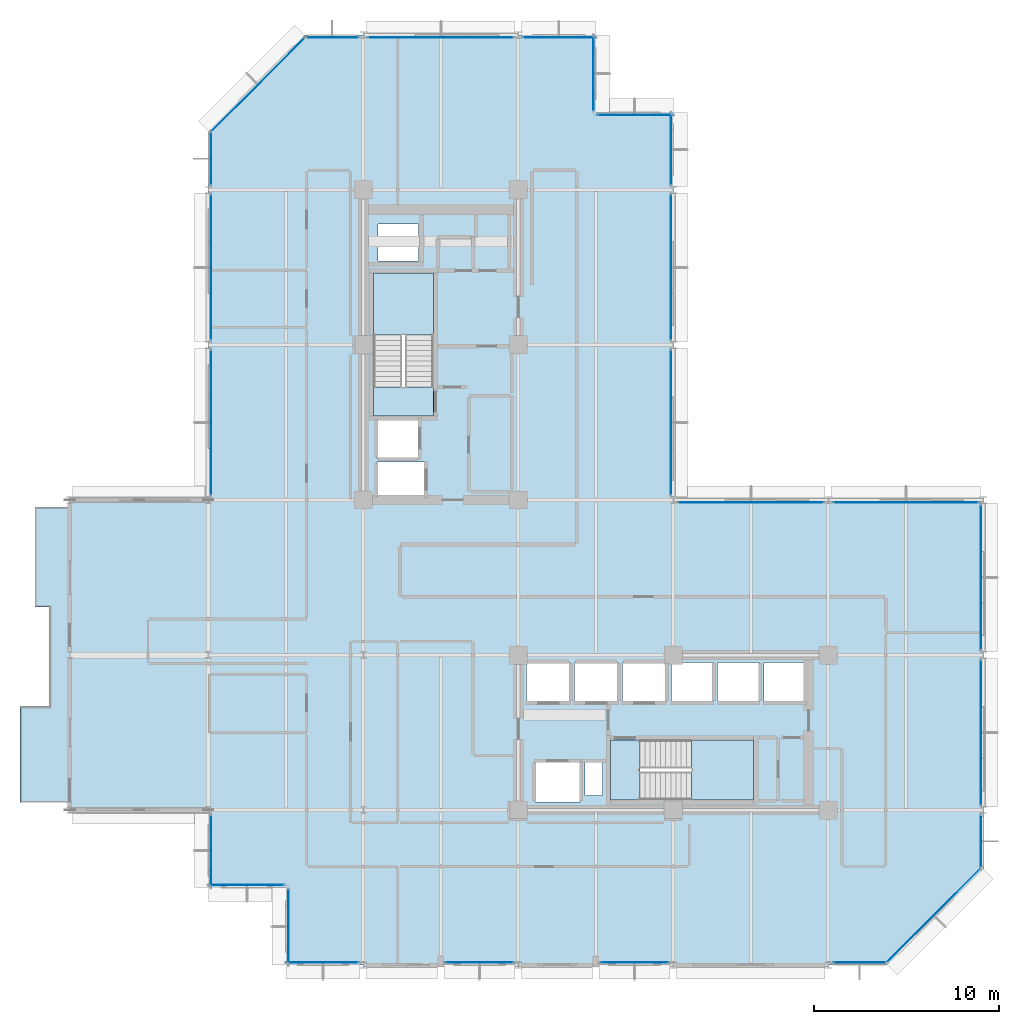
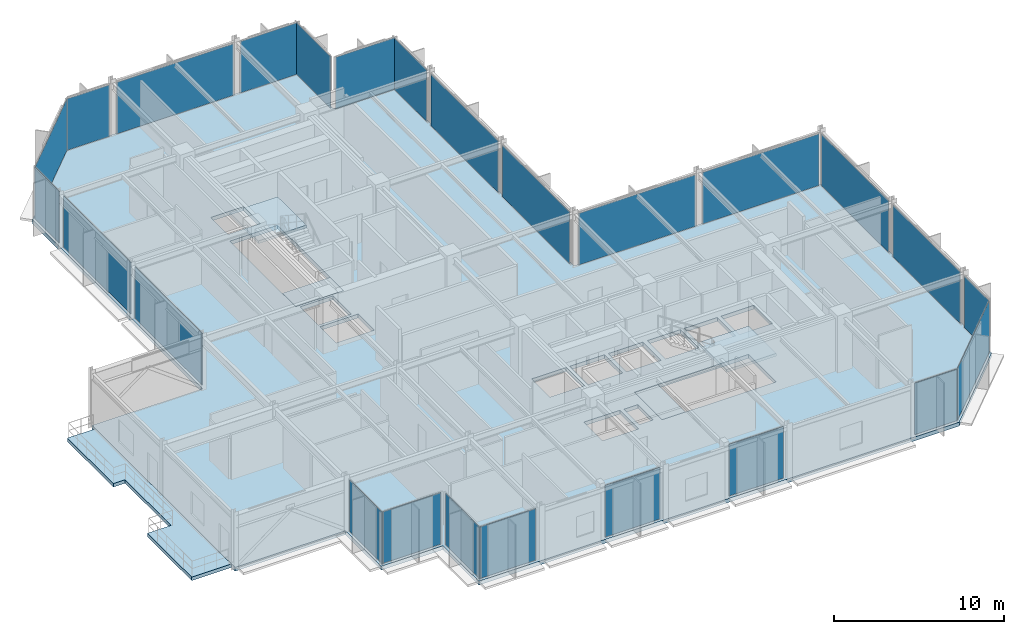
# One storey, part 23 of 30: 25 plates, 6 slabs, 27 elements without a shape of their own.
"""IFC4 building model written with IfcOpenShell, lengths in metres."""

from ifc_helpers import new_model, si_unit, direction, frame, origin, origin_2d, place, context, subcontext, project, spatial, polyline, rectangle, outline, extrude, material, layer, layer_set, type_object, element, aggregate, save


model = new_model("IFC4")

# Units and contexts
model_context = context("Model", 3, precision=1e-05, world=origin(), true_north=direction((0.0, 1.0)))
body_context = subcontext(model_context, "Body", "Model", "MODEL_VIEW")
ifc_project = project(units=[si_unit("LENGTHUNIT", "METRE"), si_unit("AREAUNIT", "SQUARE_METRE"), si_unit("VOLUMEUNIT", "CUBIC_METRE"), si_unit("PLANEANGLEUNIT", "RADIAN"), si_unit("MASSUNIT", "GRAM", prefix="KILO")], contexts=[model_context])

# Site, building, storey
site_placement = place(None, origin())
site = spatial("IfcSite", under=ifc_project, at=site_placement, CompositionType="ELEMENT")
building_placement = place(site_placement, origin())
building = spatial("IfcBuilding", under=site, at=building_placement, Name="Nerrivon Quay Data Exchange", CompositionType="ELEMENT")
storey_placement = place(building_placement, frame((0.0, 0.0, 171.39990234375)))
storey = spatial("IfcBuildingStorey", under=building, at=storey_placement, Name="L40", CompositionType="ELEMENT", Elevation=171.39990234375)

# Curtain wall, plate
ifc_material_1 = material(Name="Anodised aluminium 6063-T6", Category="aluminium")
ifc_layer_1 = layer(ifc_material_1, 0.195068359375)
ifc_layer_set_1 = layer_set([ifc_layer_1], Name="Anodised aluminium 6063-T6")
curtain_wall_type = type_object("IfcCurtainWallType", Name="CW-SYS-06", PredefinedType="NOTDEFINED", material=ifc_layer_set_1)
curtain_wall_1_placement = place(storey_placement, origin())
curtain_wall_1 = element("IfcCurtainWall", 1, at=curtain_wall_1_placement, inside=storey, type_object=curtain_wall_type, Name="L40 Unitised Curtain Wall 4", PredefinedType="NOTDEFINED")
ifc_material_2 = material(Name="Double-glazed low-E solar control glass", Category="glass")
ifc_layer_2 = layer(ifc_material_2, 0.028076171875)
ifc_layer_set_2 = layer_set([ifc_layer_2], Name="Double-glazed low-E solar control glass")
plate_type = type_object("IfcPlateType", Name="CWP-GLZ-28", PredefinedType="CURTAIN_PANEL", material=ifc_layer_set_2)
plate_1_placement = place(storey_placement, frame((0.139892578125, 29.39990234375, 0.06494140625), z_axis=(0.0, 0.0, 1.0), x_axis=(0.0, 1.0, 0.0)))
plate_1 = element("IfcPlate", 2, at=plate_1_placement, type_object=plate_type, Name="CW06 panel 1.1", PredefinedType="CURTAIN_PANEL", context=body_context, shape_type="SweptSolid", body=[
    extrude(rectangle(XDim=7.89990234375, YDim=0.028076171875, at=origin_2d()), origin(), (0.0, 0.0, 1.0), 3.695068359375),
])
aggregate(curtain_wall_1, [plate_1])

curtain_wall_2_placement = place(storey_placement, origin())
curtain_wall_2 = element("IfcCurtainWall", 3, at=curtain_wall_2_placement, inside=storey, type_object=curtain_wall_type, Name="L40 Unitised Curtain Wall 5", PredefinedType="NOTDEFINED")
plate_2_placement = place(storey_placement, frame((0.139892578125, 37.800048828125, 0.06494140625), z_axis=(0.0, 0.0, 1.0), x_axis=(0.0, 1.0, 0.0)))
plate_2 = element("IfcPlate", 4, at=plate_2_placement, type_object=plate_type, Name="CW06 panel 1.1", PredefinedType="CURTAIN_PANEL", context=body_context, shape_type="SweptSolid", body=[
    extrude(rectangle(XDim=7.89990234375, YDim=0.028076171875, at=origin_2d()), origin(), (0.0, 0.0, 1.0), 3.695068359375),
])
aggregate(curtain_wall_2, [plate_2])

curtain_wall_3_placement = place(storey_placement, origin())
curtain_wall_3 = element("IfcCurtainWall", 5, at=curtain_wall_3_placement, inside=storey, type_object=curtain_wall_type, Name="L40 Unitised Curtain Wall 6", PredefinedType="NOTDEFINED")
plate_3_placement = place(storey_placement, frame((0.139892578125, 43.6875, 0.06494140625), z_axis=(0.0, 0.0, 1.0), x_axis=(0.0, 1.0, 0.0)))
plate_3 = element("IfcPlate", 6, at=plate_3_placement, type_object=plate_type, Name="CW06 panel 1.1", PredefinedType="CURTAIN_PANEL", context=body_context, shape_type="SweptSolid", body=[
    extrude(rectangle(XDim=2.875, YDim=0.028076171875, at=origin_2d()), origin(), (0.0, 0.0, 1.0), 3.695068359375),
])
aggregate(curtain_wall_3, [plate_3])

curtain_wall_4_placement = place(storey_placement, origin())
curtain_wall_4 = element("IfcCurtainWall", 7, at=curtain_wall_4_placement, inside=storey, type_object=curtain_wall_type, Name="L40 Unitised Curtain Wall 7", PredefinedType="NOTDEFINED")
plate_4_placement = place(storey_placement, frame((2.698974609375, 47.700927734375, 0.06494140625), z_axis=(0.0, 0.0, 1.0), x_axis=(0.707106781187, 0.707106781187, 0.0)))
plate_4 = element("IfcPlate", 8, at=plate_4_placement, type_object=plate_type, Name="CW06 panel 1.1", PredefinedType="CURTAIN_PANEL", context=body_context, shape_type="SweptSolid", body=[
    extrude(rectangle(XDim=7.203857421875, YDim=0.028076171875, at=origin_2d()), origin(), (0.0, 0.0, 1.0), 3.695068359375),
])
aggregate(curtain_wall_4, [plate_4])

curtain_wall_5_placement = place(storey_placement, origin())
curtain_wall_5 = element("IfcCurtainWall", 9, at=curtain_wall_5_placement, inside=storey, type_object=curtain_wall_type, Name="L40 Unitised Curtain Wall 8", PredefinedType="NOTDEFINED")
plate_5_placement = place(storey_placement, frame((6.71240234375, 50.260009765625, 0.06494140625), z_axis=(0.0, 0.0, 1.0), x_axis=(1.0, 0.0, 0.0)))
plate_5 = element("IfcPlate", 10, at=plate_5_placement, type_object=plate_type, Name="CW06 panel 1.1", PredefinedType="CURTAIN_PANEL", context=body_context, shape_type="SweptSolid", body=[
    extrude(rectangle(XDim=2.875, YDim=0.028076171875, at=origin_2d()), origin(), (0.0, 0.0, 1.0), 3.695068359375),
])
aggregate(curtain_wall_5, [plate_5])

curtain_wall_6_placement = place(storey_placement, origin())
curtain_wall_6 = element("IfcCurtainWall", 11, at=curtain_wall_6_placement, inside=storey, type_object=curtain_wall_type, Name="L40 Unitised Curtain Wall 9", PredefinedType="NOTDEFINED")
plate_6_placement = place(storey_placement, frame((12.60009765625, 50.260009765625, 0.06494140625), z_axis=(0.0, 0.0, 1.0), x_axis=(1.0, 0.0, 0.0)))
plate_6 = element("IfcPlate", 12, at=plate_6_placement, type_object=plate_type, Name="CW06 panel 1.1", PredefinedType="CURTAIN_PANEL", context=body_context, shape_type="SweptSolid", body=[
    extrude(rectangle(XDim=7.89990234375, YDim=0.028076171875, at=origin_2d()), origin(), (0.0, 0.0, 1.0), 3.695068359375),
])
aggregate(curtain_wall_6, [plate_6])

curtain_wall_7_placement = place(storey_placement, origin())
curtain_wall_7 = element("IfcCurtainWall", 13, at=curtain_wall_7_placement, inside=storey, type_object=curtain_wall_type, Name="L40 Unitised Curtain Wall 10", PredefinedType="NOTDEFINED")
plate_7_placement = place(storey_placement, frame((18.987548828125, 50.260009765625, 0.06494140625), z_axis=(0.0, 0.0, 1.0), x_axis=(1.0, 0.0, 0.0)))
plate_7 = element("IfcPlate", 14, at=plate_7_placement, type_object=plate_type, Name="CW06 panel 1.1", PredefinedType="CURTAIN_PANEL", context=body_context, shape_type="SweptSolid", body=[
    extrude(rectangle(XDim=3.875, YDim=0.028076171875, at=origin_2d()), origin(), (0.0, 0.0, 1.0), 3.695068359375),
])
aggregate(curtain_wall_7, [plate_7])

curtain_wall_8_placement = place(storey_placement, origin())
curtain_wall_8 = element("IfcCurtainWall", 15, at=curtain_wall_8_placement, inside=storey, type_object=curtain_wall_type, Name="L40 Unitised Curtain Wall 11", PredefinedType="NOTDEFINED")
plate_8_placement = place(storey_placement, frame((20.860107421875, 48.300048828125, 0.06494140625), z_axis=(0.0, 0.0, 1.0), x_axis=(0.0, -1.0, 0.0)))
plate_8 = element("IfcPlate", 16, at=plate_8_placement, type_object=plate_type, Name="CW06 panel 1.1", PredefinedType="CURTAIN_PANEL", context=body_context, shape_type="SweptSolid", body=[
    extrude(rectangle(XDim=4.050048828125, YDim=0.028076171875, at=origin_2d()), origin(), (0.0, 0.0, 1.0), 3.695068359375),
])
aggregate(curtain_wall_8, [plate_8])

curtain_wall_9_placement = place(storey_placement, origin())
curtain_wall_9 = element("IfcCurtainWall", 17, at=curtain_wall_9_placement, inside=storey, type_object=curtain_wall_type, Name="L40 Unitised Curtain Wall 12", PredefinedType="NOTDEFINED")
plate_9_placement = place(storey_placement, frame((23.10009765625, 46.06005859375, 0.06494140625), z_axis=(0.0, 0.0, 1.0), x_axis=(1.0, 0.0, 0.0)))
plate_9 = element("IfcPlate", 18, at=plate_9_placement, type_object=plate_type, Name="CW06 panel 1.1", PredefinedType="CURTAIN_PANEL", context=body_context, shape_type="SweptSolid", body=[
    extrude(rectangle(XDim=4.050048828125, YDim=0.028076171875, at=origin_2d()), origin(), (0.0, 0.0, 1.0), 3.695068359375),
])
aggregate(curtain_wall_9, [plate_9])

curtain_wall_10_placement = place(storey_placement, origin())
curtain_wall_10 = element("IfcCurtainWall", 19, at=curtain_wall_10_placement, inside=storey, type_object=curtain_wall_type, Name="L40 Unitised Curtain Wall 13", PredefinedType="NOTDEFINED")
plate_10_placement = place(storey_placement, frame((25.06005859375, 44.1875, 0.06494140625), z_axis=(0.0, 0.0, 1.0), x_axis=(0.0, -1.0, 0.0)))
plate_10 = element("IfcPlate", 20, at=plate_10_placement, type_object=plate_type, Name="CW06 panel 1.1", PredefinedType="CURTAIN_PANEL", context=body_context, shape_type="SweptSolid", body=[
    extrude(rectangle(XDim=3.875, YDim=0.028076171875, at=origin_2d()), origin(), (0.0, 0.0, 1.0), 3.695068359375),
])
aggregate(curtain_wall_10, [plate_10])

curtain_wall_11_placement = place(storey_placement, origin())
curtain_wall_11 = element("IfcCurtainWall", 21, at=curtain_wall_11_placement, inside=storey, type_object=curtain_wall_type, Name="L40 Unitised Curtain Wall 14", PredefinedType="NOTDEFINED")
plate_11_placement = place(storey_placement, frame((25.06005859375, 37.800048828125, 0.06494140625), z_axis=(0.0, 0.0, 1.0), x_axis=(0.0, -1.0, 0.0)))
plate_11 = element("IfcPlate", 22, at=plate_11_placement, type_object=plate_type, Name="CW06 panel 1.1", PredefinedType="CURTAIN_PANEL", context=body_context, shape_type="SweptSolid", body=[
    extrude(rectangle(XDim=7.89990234375, YDim=0.028076171875, at=origin_2d()), origin(), (0.0, 0.0, 1.0), 3.695068359375),
])
aggregate(curtain_wall_11, [plate_11])

curtain_wall_12_placement = place(storey_placement, origin())
curtain_wall_12 = element("IfcCurtainWall", 23, at=curtain_wall_12_placement, inside=storey, type_object=curtain_wall_type, Name="L40 Unitised Curtain Wall 15", PredefinedType="NOTDEFINED")
plate_12_placement = place(storey_placement, frame((25.06005859375, 29.39990234375, 0.06494140625), z_axis=(0.0, 0.0, 1.0), x_axis=(0.0, -1.0, 0.0)))
plate_12 = element("IfcPlate", 24, at=plate_12_placement, type_object=plate_type, Name="CW06 panel 1.1", PredefinedType="CURTAIN_PANEL", context=body_context, shape_type="SweptSolid", body=[
    extrude(rectangle(XDim=7.89990234375, YDim=0.028076171875, at=origin_2d()), origin(), (0.0, 0.0, 1.0), 3.695068359375),
])
aggregate(curtain_wall_12, [plate_12])

curtain_wall_13_placement = place(storey_placement, origin())
curtain_wall_13 = element("IfcCurtainWall", 25, at=curtain_wall_13_placement, inside=storey, type_object=curtain_wall_type, Name="L40 Unitised Curtain Wall 16", PredefinedType="NOTDEFINED")
plate_13_placement = place(storey_placement, frame((29.39990234375, 25.06005859375, 0.06494140625), z_axis=(0.0, 0.0, 1.0), x_axis=(1.0, 0.0, 0.0)))
plate_13 = element("IfcPlate", 26, at=plate_13_placement, type_object=plate_type, Name="CW06 panel 1.1", PredefinedType="CURTAIN_PANEL", context=body_context, shape_type="SweptSolid", body=[
    extrude(rectangle(XDim=7.89990234375, YDim=0.028076171875, at=origin_2d()), origin(), (0.0, 0.0, 1.0), 3.695068359375),
])
aggregate(curtain_wall_13, [plate_13])

curtain_wall_14_placement = place(storey_placement, origin())
curtain_wall_14 = element("IfcCurtainWall", 27, at=curtain_wall_14_placement, inside=storey, type_object=curtain_wall_type, Name="L40 Unitised Curtain Wall 17", PredefinedType="NOTDEFINED")
plate_14_placement = place(storey_placement, frame((37.800048828125, 25.06005859375, 0.06494140625), z_axis=(0.0, 0.0, 1.0), x_axis=(1.0, 0.0, 0.0)))
plate_14 = element("IfcPlate", 28, at=plate_14_placement, type_object=plate_type, Name="CW06 panel 1.1", PredefinedType="CURTAIN_PANEL", context=body_context, shape_type="SweptSolid", body=[
    extrude(rectangle(XDim=7.89990234375, YDim=0.028076171875, at=origin_2d()), origin(), (0.0, 0.0, 1.0), 3.695068359375),
])
aggregate(curtain_wall_14, [plate_14])

curtain_wall_15_placement = place(storey_placement, origin())
curtain_wall_15 = element("IfcCurtainWall", 29, at=curtain_wall_15_placement, inside=storey, type_object=curtain_wall_type, Name="L40 Unitised Curtain Wall 18", PredefinedType="NOTDEFINED")
plate_15_placement = place(storey_placement, frame((41.860107421875, 21.0, 0.06494140625), z_axis=(0.0, 0.0, 1.0), x_axis=(0.0, -1.0, 0.0)))
plate_15 = element("IfcPlate", 30, at=plate_15_placement, type_object=plate_type, Name="CW06 panel 1.1", PredefinedType="CURTAIN_PANEL", context=body_context, shape_type="SweptSolid", body=[
    extrude(rectangle(XDim=7.89990234375, YDim=0.028076171875, at=origin_2d()), origin(), (0.0, 0.0, 1.0), 3.695068359375),
])
aggregate(curtain_wall_15, [plate_15])

curtain_wall_16_placement = place(storey_placement, origin())
curtain_wall_16 = element("IfcCurtainWall", 31, at=curtain_wall_16_placement, inside=storey, type_object=curtain_wall_type, Name="L40 Unitised Curtain Wall 19", PredefinedType="NOTDEFINED")
plate_16_placement = place(storey_placement, frame((41.860107421875, 12.60009765625, 0.06494140625), z_axis=(0.0, 0.0, 1.0), x_axis=(0.0, -1.0, 0.0)))
plate_16 = element("IfcPlate", 32, at=plate_16_placement, type_object=plate_type, Name="CW06 panel 1.1", PredefinedType="CURTAIN_PANEL", context=body_context, shape_type="SweptSolid", body=[
    extrude(rectangle(XDim=7.89990234375, YDim=0.028076171875, at=origin_2d()), origin(), (0.0, 0.0, 1.0), 3.695068359375),
])
aggregate(curtain_wall_16, [plate_16])

curtain_wall_17_placement = place(storey_placement, origin())
curtain_wall_17 = element("IfcCurtainWall", 33, at=curtain_wall_17_placement, inside=storey, type_object=curtain_wall_type, Name="L40 Unitised Curtain Wall 20", PredefinedType="NOTDEFINED")
plate_17_placement = place(storey_placement, frame((41.860107421875, 6.71240234375, 0.06494140625), z_axis=(0.0, 0.0, 1.0), x_axis=(0.0, -1.0, 0.0)))
plate_17 = element("IfcPlate", 34, at=plate_17_placement, type_object=plate_type, Name="CW06 panel 1.1", PredefinedType="CURTAIN_PANEL", context=body_context, shape_type="SweptSolid", body=[
    extrude(rectangle(XDim=2.875, YDim=0.028076171875, at=origin_2d()), origin(), (0.0, 0.0, 1.0), 3.695068359375),
])
aggregate(curtain_wall_17, [plate_17])

curtain_wall_18_placement = place(storey_placement, origin())
curtain_wall_18 = element("IfcCurtainWall", 35, at=curtain_wall_18_placement, inside=storey, type_object=curtain_wall_type, Name="L40 Unitised Curtain Wall 21", PredefinedType="NOTDEFINED")
plate_18_placement = place(storey_placement, frame((39.301025390625, 2.698974609375, 0.06494140625), z_axis=(0.0, 0.0, 1.0), x_axis=(-0.707106781187, -0.707106781187, 0.0)))
plate_18 = element("IfcPlate", 36, at=plate_18_placement, type_object=plate_type, Name="CW06 panel 1.1", PredefinedType="CURTAIN_PANEL", context=body_context, shape_type="SweptSolid", body=[
    extrude(rectangle(XDim=7.203857421875, YDim=0.028076171875, at=origin_2d()), origin(), (0.0, 0.0, 1.0), 3.695068359375),
])
aggregate(curtain_wall_18, [plate_18])

curtain_wall_19_placement = place(storey_placement, origin())
curtain_wall_19 = element("IfcCurtainWall", 37, at=curtain_wall_19_placement, inside=storey, type_object=curtain_wall_type, Name="L40 Unitised Curtain Wall 22", PredefinedType="NOTDEFINED")
plate_19_placement = place(storey_placement, frame((35.28759765625, 0.139892578125, 0.06494140625), z_axis=(0.0, 0.0, 1.0), x_axis=(-1.0, 0.0, 0.0)))
plate_19 = element("IfcPlate", 38, at=plate_19_placement, type_object=plate_type, Name="CW06 panel 1.1", PredefinedType="CURTAIN_PANEL", context=body_context, shape_type="SweptSolid", body=[
    extrude(rectangle(XDim=2.875, YDim=0.028076171875, at=origin_2d()), origin(), (0.0, 0.0, 1.0), 3.695068359375),
])
aggregate(curtain_wall_19, [plate_19])

curtain_wall_20_placement = place(storey_placement, origin())
curtain_wall_20 = element("IfcCurtainWall", 39, at=curtain_wall_20_placement, inside=storey, type_object=curtain_wall_type, Name="L40 Unitised Curtain Wall 24", PredefinedType="NOTDEFINED")
plate_20_placement = place(storey_placement, frame((23.10009765625, 0.139892578125, 0.06494140625), z_axis=(0.0, 0.0, 1.0), x_axis=(-1.0, 0.0, 0.0)))
plate_20 = element("IfcPlate", 40, at=plate_20_placement, type_object=plate_type, Name="CW06 panel 1.1", PredefinedType="CURTAIN_PANEL", context=body_context, shape_type="SweptSolid", body=[
    extrude(rectangle(XDim=3.699951171875, YDim=0.028076171875, at=origin_2d()), origin(), (0.0, 0.0, 1.0), 3.695068359375),
])
aggregate(curtain_wall_20, [plate_20])

curtain_wall_21_placement = place(storey_placement, origin())
curtain_wall_21 = element("IfcCurtainWall", 41, at=curtain_wall_21_placement, inside=storey, type_object=curtain_wall_type, Name="L40 Unitised Curtain Wall 26", PredefinedType="NOTDEFINED")
plate_21_placement = place(storey_placement, frame((14.699951171875, 0.139892578125, 0.06494140625), z_axis=(0.0, 0.0, 1.0), x_axis=(-1.0, 0.0, 0.0)))
plate_21 = element("IfcPlate", 42, at=plate_21_placement, type_object=plate_type, Name="CW06 panel 1.1", PredefinedType="CURTAIN_PANEL", context=body_context, shape_type="SweptSolid", body=[
    extrude(rectangle(XDim=3.699951171875, YDim=0.028076171875, at=origin_2d()), origin(), (0.0, 0.0, 1.0), 3.695068359375),
])
aggregate(curtain_wall_21, [plate_21])

curtain_wall_22_placement = place(storey_placement, origin())
curtain_wall_22 = element("IfcCurtainWall", 43, at=curtain_wall_22_placement, inside=storey, type_object=curtain_wall_type, Name="L40 Unitised Curtain Wall 28", PredefinedType="NOTDEFINED")
plate_22_placement = place(storey_placement, frame((6.21240234375, 0.139892578125, 0.06494140625), z_axis=(0.0, 0.0, 1.0), x_axis=(-1.0, 0.0, 0.0)))
plate_22 = element("IfcPlate", 44, at=plate_22_placement, type_object=plate_type, Name="CW06 panel 1.1", PredefinedType="CURTAIN_PANEL", context=body_context, shape_type="SweptSolid", body=[
    extrude(rectangle(XDim=3.875, YDim=0.028076171875, at=origin_2d()), origin(), (0.0, 0.0, 1.0), 3.695068359375),
])
aggregate(curtain_wall_22, [plate_22])

curtain_wall_23_placement = place(storey_placement, origin())
curtain_wall_23 = element("IfcCurtainWall", 45, at=curtain_wall_23_placement, inside=storey, type_object=curtain_wall_type, Name="L40 Unitised Curtain Wall 29", PredefinedType="NOTDEFINED")
plate_23_placement = place(storey_placement, frame((4.340087890625, 2.10009765625, 0.06494140625), z_axis=(0.0, 0.0, 1.0), x_axis=(0.0, 1.0, 0.0)))
plate_23 = element("IfcPlate", 46, at=plate_23_placement, type_object=plate_type, Name="CW06 panel 1.1", PredefinedType="CURTAIN_PANEL", context=body_context, shape_type="SweptSolid", body=[
    extrude(rectangle(XDim=4.050048828125, YDim=0.028076171875, at=origin_2d()), origin(), (0.0, 0.0, 1.0), 3.695068359375),
])
aggregate(curtain_wall_23, [plate_23])

curtain_wall_24_placement = place(storey_placement, origin())
curtain_wall_24 = element("IfcCurtainWall", 47, at=curtain_wall_24_placement, inside=storey, type_object=curtain_wall_type, Name="L40 Unitised Curtain Wall 30", PredefinedType="NOTDEFINED")
plate_24_placement = place(storey_placement, frame((2.10009765625, 4.340087890625, 0.06494140625), z_axis=(0.0, 0.0, 1.0), x_axis=(-1.0, 0.0, 0.0)))
plate_24 = element("IfcPlate", 48, at=plate_24_placement, type_object=plate_type, Name="CW06 panel 1.1", PredefinedType="CURTAIN_PANEL", context=body_context, shape_type="SweptSolid", body=[
    extrude(rectangle(XDim=4.050048828125, YDim=0.028076171875, at=origin_2d()), origin(), (0.0, 0.0, 1.0), 3.695068359375),
])
aggregate(curtain_wall_24, [plate_24])

curtain_wall_25_placement = place(storey_placement, origin())
curtain_wall_25 = element("IfcCurtainWall", 49, at=curtain_wall_25_placement, inside=storey, type_object=curtain_wall_type, Name="L40 Unitised Curtain Wall 31", PredefinedType="NOTDEFINED")
plate_25_placement = place(storey_placement, frame((0.139892578125, 6.21240234375, 0.06494140625), z_axis=(0.0, 0.0, 1.0), x_axis=(0.0, 1.0, 0.0)))
plate_25 = element("IfcPlate", 50, at=plate_25_placement, type_object=plate_type, Name="CW06 panel 1.1", PredefinedType="CURTAIN_PANEL", context=body_context, shape_type="SweptSolid", body=[
    extrude(rectangle(XDim=3.875, YDim=0.028076171875, at=origin_2d()), origin(), (0.0, 0.0, 1.0), 3.695068359375),
])
aggregate(curtain_wall_25, [plate_25])

# Slab
ifc_material_3 = material(Name="Precast white architectural concrete N50 (50 MPa)", Category="concrete")
ifc_layer_3 = layer(ifc_material_3, 0.25)
ifc_layer_set_3 = layer_set([ifc_layer_3], Name="Precast white architectural concrete N50 (50 MPa)")
slab_type_1 = type_object("IfcSlabType", Name="SLB-BAL-250", PredefinedType="FLOOR", material=ifc_layer_set_3)
slab_1_placement = place(storey_placement, frame((0.0, 0.0, -0.25)))
element("IfcSlab", 51, at=slab_1_placement, inside=storey, type_object=slab_type_1, Name="L40 West Hooked Drifting Verandah", PredefinedType="FLOOR", context=body_context, shape_type="SweptSolid", body=[
    extrude(outline(polyline([(-7.5, 14.0), (-7.5, 19.39990234375), (-7.5, 24.800048828125), (-9.39990234375, 24.800048828125), (-9.39990234375, 19.39990234375), (-8.60009765625, 19.39990234375), (-8.60009765625, 14.0), (-10.199951171875, 14.0), (-10.199951171875, 8.800048828125), (-7.5, 8.800048828125), (-7.5, 14.0)])), origin(), (0.0, 0.0, 1.0), 0.25),
])

# Stair, slab
ifc_material_4 = material(Name="Concrete N50 (50 MPa)", Category="concrete")
stair_type = type_object("IfcStairType", Name="STAIR-DOG-41", PredefinedType="HALF_TURN_STAIR", material=ifc_material_4)
stair_1_placement = place(storey_placement, origin())
stair_1 = element("IfcStair", 52, at=stair_1_placement, inside=storey, type_object=stair_type, Name="L40 West Core Fire Stair ST01", PredefinedType="HALF_TURN_STAIR")
ifc_layer_4 = layer(ifc_material_4, 0.199951171875)
ifc_layer_set_4 = layer_set([ifc_layer_4], Name="Concrete N50 (50 MPa)")
slab_type_2 = type_object("IfcSlabType", Name="SLB-LAND-200", PredefinedType="LANDING", material=ifc_layer_set_4)
slab_2_placement = place(storey_placement, frame((0.0, 0.0, 1.85009765625)))
slab_2 = element("IfcSlab", 53, at=slab_2_placement, type_object=slab_type_2, Name="ST01 landing 1", PredefinedType="LANDING", context=body_context, shape_type="SweptSolid", body=[
    extrude(outline(polyline([(12.199951171875, 34.1298828125), (12.199951171875, 37.5), (8.949951171875, 37.5), (8.949951171875, 34.1298828125), (12.199951171875, 34.1298828125)])), origin(), (0.0, 0.0, 1.0), 0.199951171875),
])
aggregate(stair_1, [slab_2])

# Slab
slab_3_placement = place(storey_placement, frame((0.0, 0.0, -0.199951171875)))
element("IfcSlab", 54, at=slab_3_placement, inside=storey, type_object=slab_type_2, Name="L40 ST01 floor landing", PredefinedType="LANDING", context=body_context, shape_type="SweptSolid", body=[
    extrude(outline(polyline([(12.199951171875, 29.75), (12.199951171875, 31.330078125), (8.949951171875, 31.330078125), (8.949951171875, 29.75), (12.199951171875, 29.75)])), origin(), (0.0, 0.0, 1.0), 0.199951171875),
])

# Stair, slab
stair_2_placement = place(storey_placement, origin())
stair_2 = element("IfcStair", 55, at=stair_2_placement, inside=storey, type_object=stair_type, Name="L40 East Core Fire Stair ST02", PredefinedType="HALF_TURN_STAIR")
slab_4_placement = place(storey_placement, frame((0.0, 0.0, 1.85009765625)))
slab_4 = element("IfcSlab", 56, at=slab_4_placement, type_object=slab_type_2, Name="ST02 landing 1", PredefinedType="LANDING", context=body_context, shape_type="SweptSolid", body=[
    extrude(outline(polyline([(26.179931640625, 8.949951171875), (29.550048828125, 8.949951171875), (29.550048828125, 12.199951171875), (26.179931640625, 12.199951171875), (26.179931640625, 8.949951171875)])), origin(), (0.0, 0.0, 1.0), 0.199951171875),
])
aggregate(stair_2, [slab_4])

# Slabs
slab_5_placement = place(storey_placement, frame((0.0, 0.0, -0.199951171875)))
element("IfcSlab", 57, at=slab_5_placement, inside=storey, type_object=slab_type_2, Name="L40 ST02 floor landing", PredefinedType="LANDING", context=body_context, shape_type="SweptSolid", body=[
    extrude(outline(polyline([(21.800048828125, 8.949951171875), (23.3798828125, 8.949951171875), (23.3798828125, 12.199951171875), (21.800048828125, 12.199951171875), (21.800048828125, 8.949951171875)])), origin(), (0.0, 0.0, 1.0), 0.199951171875),
])
ifc_layer_5 = layer(ifc_material_4, 0.27490234375)
ifc_layer_set_5 = layer_set([ifc_layer_5], Name="Concrete N50 (50 MPa)")
slab_type_3 = type_object("IfcSlabType", Name="SLB-TOW-275", PredefinedType="FLOOR", material=ifc_layer_set_5)
slab_6_placement = place(storey_placement, frame((0.0, 0.0, -0.27490234375)))
element("IfcSlab", 58, at=slab_6_placement, inside=storey, type_object=slab_type_3, Name="L40 Primary Structural Slab", PredefinedType="FLOOR", context=body_context, shape_type="SweptSolid", body=[
    extrude(outline(polyline([(0.0, 8.39990234375), (0.0, 4.199951171875), (4.199951171875, 4.199951171875), (4.199951171875, 0.0), (36.800048828125, 0.0), (42.0, 5.199951171875), (42.0, 25.199951171875), (25.199951171875, 25.199951171875), (25.199951171875, 46.199951171875), (21.0, 46.199951171875), (21.0, 50.39990234375), (5.199951171875, 50.39990234375), (0.0, 45.199951171875), (0.0, 25.199951171875), (-7.5, 25.199951171875), (-7.5, 8.39990234375), (0.0, 8.39990234375)]), holes=[polyline([(8.949951171875, 29.75), (8.949951171875, 37.5), (12.199951171875, 37.5), (12.199951171875, 29.75), (8.949951171875, 29.75)]), polyline([(21.800048828125, 12.199951171875), (29.550048828125, 12.199951171875), (29.550048828125, 8.949951171875), (21.800048828125, 8.949951171875), (21.800048828125, 12.199951171875)]), polyline([(30.10009765625, 16.39990234375), (32.35009765625, 16.39990234375), (32.35009765625, 14.25), (30.10009765625, 14.25), (30.10009765625, 16.39990234375)]), polyline([(27.60009765625, 16.39990234375), (29.85009765625, 16.39990234375), (29.85009765625, 14.25), (27.60009765625, 14.25), (27.60009765625, 16.39990234375)]), polyline([(25.10009765625, 14.25), (25.10009765625, 16.39990234375), (27.35009765625, 16.39990234375), (27.35009765625, 14.25), (25.10009765625, 14.25)]), polyline([(22.449951171875, 16.39990234375), (24.800048828125, 16.39990234375), (24.800048828125, 14.25), (22.449951171875, 14.25), (22.449951171875, 16.39990234375)]), polyline([(19.85009765625, 16.39990234375), (22.199951171875, 16.39990234375), (22.199951171875, 14.25), (19.85009765625, 14.25), (19.85009765625, 16.39990234375)]), polyline([(20.39990234375, 9.199951171875), (20.39990234375, 11.0), (21.35009765625, 11.0), (21.35009765625, 9.199951171875), (20.39990234375, 9.199951171875)]), polyline([(17.699951171875, 8.830078125), (17.699951171875, 11.030029296875), (20.14990234375, 11.030029296875), (20.14990234375, 8.830078125), (17.699951171875, 8.830078125)]), polyline([(17.25, 14.25), (17.25, 16.39990234375), (19.60009765625, 16.39990234375), (19.60009765625, 14.25), (17.25, 14.25)]), polyline([(9.14990234375, 27.25), (11.75, 27.25), (11.75, 25.35009765625), (9.14990234375, 25.35009765625), (9.14990234375, 27.25)]), polyline([(9.14990234375, 29.60009765625), (11.39990234375, 29.60009765625), (11.39990234375, 27.449951171875), (9.14990234375, 27.449951171875), (9.14990234375, 29.60009765625)]), polyline([(9.199951171875, 38.14990234375), (9.199951171875, 40.14990234375), (11.39990234375, 40.14990234375), (11.39990234375, 38.14990234375), (9.199951171875, 38.14990234375)])]), origin(), (0.0, 0.0, 1.0), 0.27490234375),
])

save(model, "model.ifc")
